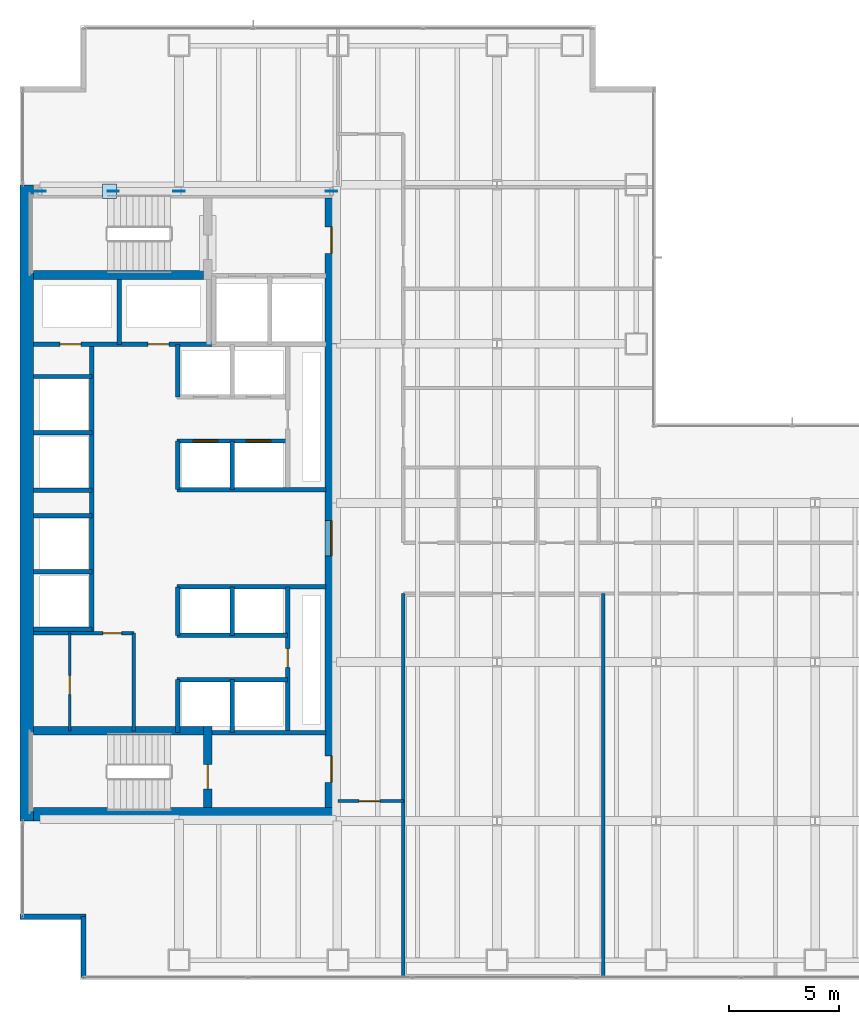
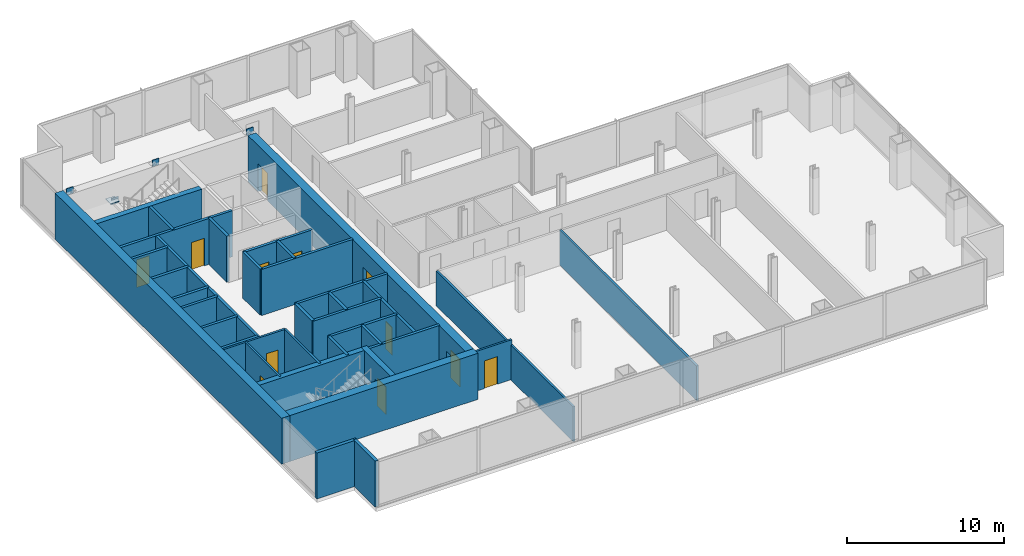
# One storey, part 20 of 24: 38 walls, 12 doors, 5 plates, 12 openings.
"""IFC4 building model written with IfcOpenShell, lengths in metres."""

from ifc_helpers import new_model, si_unit, direction, frame, frame_2d, origin, origin_2d, place, context, subcontext, project, spatial, rectangle, extrude, material, layer, layer_set, type_object, element, fill, save


model = new_model("IFC4")

# Units and contexts
model_context = context("Model", 3, precision=1e-05, world=origin(), true_north=direction((0.0, 1.0)))
body_context = subcontext(model_context, "Body", "Model", "MODEL_VIEW")
ifc_project = project(units=[si_unit("LENGTHUNIT", "METRE"), si_unit("AREAUNIT", "SQUARE_METRE"), si_unit("VOLUMEUNIT", "CUBIC_METRE"), si_unit("PLANEANGLEUNIT", "RADIAN"), si_unit("MASSUNIT", "GRAM", prefix="KILO")], contexts=[model_context])

# Site, building, storey
site_placement = place(None, origin())
site = spatial("IfcSite", under=ifc_project, at=site_placement, CompositionType="ELEMENT")
building_placement = place(site_placement, origin())
building = spatial("IfcBuilding", under=site, at=building_placement, Name="Cobrela Telecom Tower", CompositionType="ELEMENT")
storey_placement = place(building_placement, frame((0.0, 0.0, 69.64990234375)))
storey = spatial("IfcBuildingStorey", under=building, at=storey_placement, Name="L17", CompositionType="ELEMENT", Elevation=69.64990234375)

# Plates
ifc_material_1 = material(Name="Steel ASTM A572 Grade 50", Category="steel")
ifc_layer_1 = layer(ifc_material_1, 0.0419921875)
ifc_layer_set_1 = layer_set([ifc_layer_1], Name="Steel ASTM A572 Grade 50")
plate_type = type_object("IfcPlateType", Name="PLT-NODE-ND1", PredefinedType="USERDEFINED", material=ifc_layer_set_1)
for number, where, z_axis, x_axis, name in (
    (1, (7.199951171875, 35.699951171875, 3.35498046875), (0.0, 0.0, 1.0), (1.0, 0.0, 0.0), "Steel node plate PLT-MBR-EXO-L17-N1-A-1"),
    (2, (4.219482421875, 35.699951171875, 1.431640625), (0.0, 0.0, 1.0), (-1.0, 0.0, 0.0), "Steel node plate PLT-MBR-EXO-L17-N1-B1-1"),
    (3, (0.89990234375, 35.699951171875, 3.35498046875), (0.0, 0.0, 1.0), (-1.0, 0.0, 0.0), "Steel node plate PLT-MBR-EXO-L17-N1-B2-1"),
):
    element("IfcPlate", number, at=place(storey_placement, frame(where, z_axis=z_axis, x_axis=x_axis)), inside=storey, type_object=plate_type, Name=name, ObjectType="GUSSET PLATE", PredefinedType="USERDEFINED", context=body_context, shape_type="SweptSolid", body=[
        extrude(rectangle(XDim=0.510009765625, YDim=0.044921875, at=origin_2d()), origin(), (0.0, 0.0, 1.0), 0.510009765625),
    ])
plate_1_placement = place(storey_placement, frame((4.050048828125, 35.699951171875, 1.7626953125), z_axis=(0.0, 0.0, 1.0), x_axis=(1.0, 0.0, 0.0)))
element("IfcPlate", 4, at=plate_1_placement, inside=storey, type_object=plate_type, Name="L17 Core Flange Steel X-Brace Central X-Crossing Gusset Plate", ObjectType="GUSSET PLATE", PredefinedType="USERDEFINED", context=body_context, shape_type="SweptSolid", body=[
    extrude(rectangle(XDim=0.64990234375, YDim=0.64990234375, at=origin_2d()), origin(), (0.0, 0.0, 1.0), 0.044921875),
])
plate_2_placement = place(storey_placement, frame((14.10009765625, 35.699951171875, 3.35498046875), z_axis=(0.0, 0.0, 1.0), x_axis=(1.0, 0.0, 0.0)))
element("IfcPlate", 5, at=plate_2_placement, inside=storey, type_object=plate_type, Name="Steel node plate PLT-MBR-EXO-L17-N2-1", ObjectType="GUSSET PLATE", PredefinedType="USERDEFINED", context=body_context, shape_type="SweptSolid", body=[
    extrude(rectangle(XDim=0.510009765625, YDim=0.044921875, at=origin_2d()), origin(), (0.0, 0.0, 1.0), 0.510009765625),
])

# Walls
ifc_material_2 = material(Name="Concrete C50/60", Category="concrete")
ifc_layer_2 = layer(ifc_material_2, 0.60009765625)
ifc_layer_set_2 = layer_set([ifc_layer_2], Name="Concrete C50/60")
wall_type_1 = type_object("IfcWallType", Name="WALL-CORE-C50-600", PredefinedType="SHEAR", material=ifc_layer_set_2)
wall_1_placement = place(storey_placement, frame((0.300048828125, 7.199951171875, 0.0), z_axis=(0.0, 0.0, 1.0), x_axis=(0.0, 1.0, 0.0)))
element("IfcWall", 6, at=wall_1_placement, inside=storey, type_object=wall_type_1, Name="L17 West Core Shear Wall", PredefinedType="SHEAR", context=body_context, shape_type="SweptSolid", body=[
    extrude(rectangle(XDim=28.800048828125, YDim=0.60009765625, at=frame_2d((14.39990234375, 0.0))), origin(), (0.0, 0.0, 1.0), 3.570068359375),
])
wall_2_placement = place(storey_placement, frame((0.60009765625, 7.5, 0.0), z_axis=(0.0, 0.0, 1.0), x_axis=(1.0, 0.0, 0.0)))
element("IfcWall", 7, at=wall_2_placement, inside=storey, type_object=wall_type_1, Name="L17 South Core Shear Wall", PredefinedType="SHEAR", context=body_context, shape_type="SweptSolid", body=[
    extrude(rectangle(XDim=13.7998046875, YDim=0.60009765625, at=frame_2d((6.89990234375, 0.0))), origin(), (0.0, 0.0, 1.0), 3.570068359375),
])

# Wall, openings, doors
wall_3_placement = place(storey_placement, frame((14.10009765625, 35.39990234375, 0.0), z_axis=(0.0, 0.0, 1.0), x_axis=(0.0, -1.0, 0.0)))
wall_3 = element("IfcWall", 8, at=wall_3_placement, inside=storey, type_object=wall_type_1, Name="L17 East Core Shear Wall", PredefinedType="SHEAR", context=body_context, shape_type="SweptSolid", body=[
    extrude(rectangle(XDim=27.599853515625, YDim=0.60009765625, at=frame_2d((13.7998046875, 0.0))), origin(), (0.0, 0.0, 1.0), 3.570068359375),
])
opening_1_placement = place(wall_3_placement, frame((1.300048828125, 0.0, 0.0)))
opening_1 = element("IfcOpeningElement", 9, at=opening_1_placement, cuts=wall_3, Name="Opening DR-19", PredefinedType="OPENING", context=body_context, shape_type="SweptSolid", body=[
    extrude(rectangle(XDim=1.199951171875, YDim=2.14990234375, at=frame_2d((0.60009765625, 1.074951171875))), frame((0.0, 0.31201171875, 0.0), z_axis=(0.0, -1.0, 0.0), x_axis=(1.0, 0.0, 0.0)), (0.0, 0.0, 1.0), 0.6240234375),
])
opening_2_placement = place(wall_3_placement, frame((25.25, 0.0, 0.0)))
opening_2 = element("IfcOpeningElement", 10, at=opening_2_placement, cuts=wall_3, Name="Opening DR-19", PredefinedType="OPENING", context=body_context, shape_type="SweptSolid", body=[
    extrude(rectangle(XDim=1.199951171875, YDim=2.14990234375, at=frame_2d((0.60009765625, 1.074951171875))), frame((0.0, 0.31201171875, 0.0), z_axis=(0.0, -1.0, 0.0), x_axis=(1.0, 0.0, 0.0)), (0.0, 0.0, 1.0), 0.6240234375),
])
opening_3_placement = place(wall_3_placement, frame((14.60009765625, 0.0, 0.0)))
opening_3 = element("IfcOpeningElement", 11, at=opening_3_placement, cuts=wall_3, Name="Opening DR-51", PredefinedType="OPENING", context=body_context, shape_type="SweptSolid", body=[
    extrude(rectangle(XDim=1.60009765625, YDim=2.199951171875, at=frame_2d((0.800048828125, 1.10009765625))), frame((0.0, 0.31201171875, 0.0), z_axis=(0.0, -1.0, 0.0), x_axis=(1.0, 0.0, 0.0)), (0.0, 0.0, 1.0), 0.6240234375),
])
ifc_material_3 = material(Name="Steel ASTM A36", Category="steel")
door_type_1 = type_object("IfcDoorType", Name="DOOR-FD60-1200", OperationType="SINGLE_SWING_LEFT", PredefinedType="DOOR", material=ifc_material_3)
door_1_placement = place(opening_1_placement, origin())
door_1 = element("IfcDoor", 12, at=door_1_placement, inside=storey, type_object=door_type_1, Name="L17 Door DR-19", OperationType="SINGLE_SWING_LEFT", OverallHeight=2.14990234375, OverallWidth=1.199951171875, PredefinedType="DOOR", context=body_context, shape_type="SweptSolid", body=[
    extrude(rectangle(XDim=1.199951171875, YDim=2.14990234375, at=frame_2d((0.60009765625, 1.074951171875))), frame((0.0, 0.02490234375, 0.0), z_axis=(0.0, -1.0, 0.0), x_axis=(1.0, 0.0, 0.0)), (0.0, 0.0, 1.0), 0.050048828125),
])
fill(opening_1, door_1)
door_2_placement = place(opening_2_placement, origin())
door_2 = element("IfcDoor", 13, at=door_2_placement, inside=storey, type_object=door_type_1, Name="L17 Door DR-19", OperationType="SINGLE_SWING_RIGHT", OverallHeight=2.14990234375, OverallWidth=1.199951171875, PredefinedType="DOOR", context=body_context, shape_type="SweptSolid", body=[
    extrude(rectangle(XDim=1.199951171875, YDim=2.14990234375, at=frame_2d((0.60009765625, 1.074951171875))), frame((0.0, 0.02490234375, 0.0), z_axis=(0.0, -1.0, 0.0), x_axis=(1.0, 0.0, 0.0)), (0.0, 0.0, 1.0), 0.050048828125),
])
fill(opening_2, door_2)
door_type_2 = type_object("IfcDoorType", Name="DOOR-FD60-1600", OperationType="SINGLE_SWING_LEFT", PredefinedType="DOOR", material=ifc_material_3)
door_3_placement = place(opening_3_placement, origin())
door_3 = element("IfcDoor", 14, at=door_3_placement, inside=storey, type_object=door_type_2, Name="L17 Door DR-51", OperationType="DOUBLE_DOOR_SINGLE_SWING", OverallHeight=2.199951171875, OverallWidth=1.60009765625, PredefinedType="DOOR", context=body_context, shape_type="SweptSolid", body=[
    extrude(rectangle(XDim=1.60009765625, YDim=2.199951171875, at=frame_2d((0.800048828125, 1.10009765625))), frame((0.0, 0.02490234375, 0.0), z_axis=(0.0, -1.0, 0.0), x_axis=(1.0, 0.0, 0.0)), (0.0, 0.0, 1.0), 0.050048828125),
])
fill(opening_3, door_3)

# Walls
ifc_material_4 = material(Name="Concrete C40/50", Category="concrete")
ifc_layer_3 = layer(ifc_material_4, 0.239990234375)
ifc_layer_set_3 = layer_set([ifc_layer_3], Name="Concrete C40/50")
wall_type_2 = type_object("IfcWallType", Name="WALL-EXT-300", PredefinedType="STANDARD", material=ifc_layer_set_3)
wall_4_placement = place(storey_placement, frame((2.8701171875, 0.1201171875, 0.0), z_axis=(0.0, 0.0, 1.0), x_axis=(0.0, 1.0, 0.0)))
element("IfcWall", 15, at=wall_4_placement, inside=storey, type_object=wall_type_2, Name="L17 Insulated Facade Wall 01", PredefinedType="STANDARD", context=body_context, shape_type="SweptSolid", body=[
    extrude(rectangle(XDim=2.75, YDim=0.239990234375, at=frame_2d((1.375, 0.0))), origin(), (0.0, 0.0, 1.0), 3.570068359375),
])
wall_5_placement = place(storey_placement, frame((2.989990234375, 2.8701171875, 0.0), z_axis=(0.0, 0.0, 1.0), x_axis=(-1.0, 0.0, 0.0)))
element("IfcWall", 16, at=wall_5_placement, inside=storey, type_object=wall_type_2, Name="L17 Insulated Facade Wall 02", PredefinedType="STANDARD", context=body_context, shape_type="SweptSolid", body=[
    extrude(rectangle(XDim=2.989990234375, YDim=0.239990234375, at=frame_2d((1.4951171875, 0.0))), origin(), (0.0, 0.0, 1.0), 3.570068359375),
])

# Wall, opening, door
ifc_material_5 = material(Name="Fire-Rated Gypsum Plasterboard")
ifc_layer_4 = layer(ifc_material_5, 0.125)
ifc_layer_set_4 = layer_set([ifc_layer_4], Name="Fire-Rated Gypsum Plasterboard")
wall_type_3 = type_object("IfcWallType", Name="WALL-PART-125", PredefinedType="PARTITIONING", material=ifc_layer_set_4)
wall_6_placement = place(storey_placement, frame((2.25, 11.280029296875, 0.0), z_axis=(0.0, 0.0, 1.0), x_axis=(0.0, 1.0, 0.0)))
wall_6 = element("IfcWall", 17, at=wall_6_placement, inside=storey, type_object=wall_type_3, Name="L17 Interior Partition CW-FK0-V", PredefinedType="PARTITIONING", context=body_context, shape_type="SweptSolid", body=[
    extrude(rectangle(XDim=4.419921875, YDim=0.125, at=frame_2d((2.2099609375, 0.0))), origin(), (0.0, 0.0, 1.0), 3.570068359375),
])
opening_4_placement = place(wall_6_placement, frame((1.64990234375, 0.0, 0.0)))
opening_4 = element("IfcOpeningElement", 18, at=opening_4_placement, cuts=wall_6, Name="Opening DR-11", PredefinedType="OPENING", context=body_context, shape_type="SweptSolid", body=[
    extrude(rectangle(XDim=0.85009765625, YDim=2.14990234375, at=frame_2d((0.425048828125, 1.074951171875))), frame((0.0, 0.074462890625, 0.0), z_axis=(0.0, -1.0, 0.0), x_axis=(1.0, 0.0, 0.0)), (0.0, 0.0, 1.0), 0.14892578125),
])
ifc_material_6 = material(Name="Solid Engineered Oak Timber", Category="wood")
door_type_3 = type_object("IfcDoorType", Name="DOOR-INT-850", OperationType="SINGLE_SWING_LEFT", PredefinedType="DOOR", material=ifc_material_6)
door_4_placement = place(opening_4_placement, origin())
door_4 = element("IfcDoor", 19, at=door_4_placement, inside=storey, type_object=door_type_3, Name="L17 Door DR-11", OperationType="SINGLE_SWING_LEFT", OverallHeight=2.14990234375, OverallWidth=0.85009765625, PredefinedType="DOOR", context=body_context, shape_type="SweptSolid", body=[
    extrude(rectangle(XDim=0.85009765625, YDim=2.14990234375, at=frame_2d((0.425048828125, 1.074951171875))), frame((0.0, 0.02490234375, 0.0), z_axis=(0.0, -1.0, 0.0), x_axis=(1.0, 0.0, 0.0)), (0.0, 0.0, 1.0), 0.050048828125),
])
fill(opening_4, door_4)

ifc_layer_5 = layer(ifc_material_5, 0.14990234375)
ifc_layer_set_5 = layer_set([ifc_layer_5], Name="Fire-Rated Gypsum Plasterboard")
wall_type_4 = type_object("IfcWallType", Name="WALL-PART-150", PredefinedType="PARTITIONING", material=ifc_layer_set_5)
wall_7_placement = place(storey_placement, frame((0.60009765625, 15.699951171875, 0.0), z_axis=(0.0, 0.0, 1.0), x_axis=(1.0, 0.0, 0.0)))
wall_7 = element("IfcWall", 20, at=wall_7_placement, inside=storey, type_object=wall_type_4, Name="L17 Interior Partition CW-FLEX-N", PredefinedType="PARTITIONING", context=body_context, shape_type="SweptSolid", body=[
    extrude(rectangle(XDim=4.5498046875, YDim=0.14990234375, at=frame_2d((2.27490234375, 0.0))), origin(), (0.0, 0.0, 1.0), 3.570068359375),
])
opening_5_placement = place(wall_7_placement, frame((3.14990234375, 0.0, 0.0)))
opening_5 = element("IfcOpeningElement", 21, at=opening_5_placement, cuts=wall_7, Name="Opening DR-11", PredefinedType="OPENING", context=body_context, shape_type="SweptSolid", body=[
    extrude(rectangle(XDim=0.85009765625, YDim=2.14990234375, at=frame_2d((0.425048828125, 1.074951171875))), frame((0.0, 0.0869140625, 0.0), z_axis=(0.0, -1.0, 0.0), x_axis=(1.0, 0.0, 0.0)), (0.0, 0.0, 1.0), 0.173828125),
])
door_5_placement = place(opening_5_placement, origin())
door_5 = element("IfcDoor", 22, at=door_5_placement, inside=storey, type_object=door_type_3, Name="L17 Door DR-11", OperationType="SINGLE_SWING_RIGHT", OverallHeight=2.14990234375, OverallWidth=0.85009765625, PredefinedType="DOOR", context=body_context, shape_type="SweptSolid", body=[
    extrude(rectangle(XDim=0.85009765625, YDim=2.14990234375, at=frame_2d((0.425048828125, 1.074951171875))), frame((0.0, 0.02490234375, 0.0), z_axis=(0.0, -1.0, 0.0), x_axis=(1.0, 0.0, 0.0)), (0.0, 0.0, 1.0), 0.050048828125),
])
fill(opening_5, door_5)

# Wall
wall_8_placement = place(storey_placement, frame((5.14990234375, 11.280029296875, 0.0), z_axis=(0.0, 0.0, 1.0), x_axis=(0.0, 1.0, 0.0)))
element("IfcWall", 23, at=wall_8_placement, inside=storey, type_object=wall_type_4, Name="L17 Interior Partition CW-FLEX-E", PredefinedType="PARTITIONING", context=body_context, shape_type="SweptSolid", body=[
    extrude(rectangle(XDim=4.419921875, YDim=0.14990234375, at=frame_2d((2.2099609375, 0.0))), origin(), (0.0, 0.0, 1.0), 3.570068359375),
])

# Wall, opening, door
wall_9_placement = place(storey_placement, frame((14.39990234375, 8.10009765625, 0.0), z_axis=(0.0, 0.0, 1.0), x_axis=(1.0, 0.0, 0.0)))
wall_9 = element("IfcWall", 24, at=wall_9_placement, inside=storey, type_object=wall_type_4, Name="L17 Interior Partition W-C-S0", PredefinedType="PARTITIONING", context=body_context, shape_type="SweptSolid", body=[
    extrude(rectangle(XDim=2.9501953125, YDim=0.14990234375, at=frame_2d((1.47509765625, 0.0))), origin(), (0.0, 0.0, 1.0), 3.088134765625),
])
opening_6_placement = place(wall_9_placement, frame((0.949951171875, 0.0, 0.0)))
opening_6 = element("IfcOpeningElement", 25, at=opening_6_placement, cuts=wall_9, Name="Opening DR-67", PredefinedType="OPENING", context=body_context, shape_type="SweptSolid", body=[
    extrude(rectangle(XDim=0.949951171875, YDim=2.14990234375, at=frame_2d((0.47509765625, 1.074951171875))), frame((0.0, 0.0869140625, 0.0), z_axis=(0.0, -1.0, 0.0), x_axis=(1.0, 0.0, 0.0)), (0.0, 0.0, 1.0), 0.173828125),
])
door_type_4 = type_object("IfcDoorType", Name="DOOR-INT-950", OperationType="SINGLE_SWING_LEFT", PredefinedType="DOOR", material=ifc_material_6)
door_6_placement = place(opening_6_placement, origin())
door_6 = element("IfcDoor", 26, at=door_6_placement, inside=storey, type_object=door_type_4, Name="L17 Door DR-67", OperationType="SINGLE_SWING_RIGHT", OverallHeight=2.14990234375, OverallWidth=0.949951171875, PredefinedType="DOOR", context=body_context, shape_type="SweptSolid", body=[
    extrude(rectangle(XDim=0.949951171875, YDim=2.14990234375, at=frame_2d((0.47509765625, 1.074951171875))), frame((0.0, 0.02490234375, 0.0), z_axis=(0.0, -1.0, 0.0), x_axis=(1.0, 0.0, 0.0)), (0.0, 0.0, 1.0), 0.050048828125),
])
fill(opening_6, door_6)

# Walls
wall_10_placement = place(storey_placement, frame((17.35009765625, 8.10009765625, 0.0), z_axis=(0.0, 0.0, 1.0), x_axis=(0.0, 1.0, 0.0)))
element("IfcWall", 27, at=wall_10_placement, inside=storey, type_object=wall_type_4, Name="L17 Interior Partition W-C-E1", PredefinedType="PARTITIONING", context=body_context, shape_type="SweptSolid", body=[
    extrude(rectangle(XDim=9.39990234375, YDim=0.14990234375, at=frame_2d((4.699951171875, 0.0))), origin(), (0.0, 0.0, 1.0), 2.69921875),
])
wall_11_placement = place(storey_placement, frame((17.35009765625, 0.1201171875, 0.0), z_axis=(0.0, 0.0, 1.0), x_axis=(0.0, 1.0, 0.0)))
element("IfcWall", 28, at=wall_11_placement, inside=storey, type_object=wall_type_4, Name="L17 Interior Partition W-SW-E", PredefinedType="PARTITIONING", context=body_context, shape_type="SweptSolid", body=[
    extrude(rectangle(XDim=7.97998046875, YDim=0.14990234375, at=frame_2d((3.989990234375, 0.0))), origin(), (0.0, 0.0, 1.0), 2.69921875),
])
wall_12_placement = place(storey_placement, frame((26.39990234375, 0.1201171875, 0.0), z_axis=(0.0, 0.0, 1.0), x_axis=(0.0, 1.0, 0.0)))
element("IfcWall", 29, at=wall_12_placement, inside=storey, type_object=wall_type_4, Name="L17 Interior Partition W-SV-1", PredefinedType="PARTITIONING", context=body_context, shape_type="SweptSolid", body=[
    extrude(rectangle(XDim=17.3798828125, YDim=0.14990234375, at=frame_2d((8.68994140625, 0.0))), origin(), (0.0, 0.0, 1.0), 2.69921875),
])
ifc_layer_6 = layer(ifc_material_5, 0.199951171875)
ifc_layer_set_6 = layer_set([ifc_layer_6], Name="Fire-Rated Gypsum Plasterboard")
wall_type_5 = type_object("IfcWallType", Name="WALL-SHAFT-200", PredefinedType="PARTITIONING", material=ifc_layer_set_6)
wall_13_placement = place(storey_placement, frame((8.699951171875, 11.199951171875, 0.0), z_axis=(0.0, 0.0, 1.0), x_axis=(1.0, 0.0, 0.0)))
element("IfcWall", 30, at=wall_13_placement, inside=storey, type_object=wall_type_5, Name="L17 Shaft Enclosure CW-ST2L-N", PredefinedType="PARTITIONING", context=body_context, shape_type="SweptSolid", body=[
    extrude(rectangle(XDim=5.150146484375, YDim=0.199951171875, at=frame_2d((2.5751953125, 0.0))), origin(), (0.0, 0.0, 1.0), 3.570068359375),
])

# Wall, openings, doors
wall_14_placement = place(storey_placement, frame((0.60009765625, 28.780029296875, 0.0), z_axis=(0.0, 0.0, 1.0), x_axis=(1.0, 0.0, 0.0)))
wall_14 = element("IfcWall", 31, at=wall_14_placement, inside=storey, type_object=wall_type_5, Name="L17 Shaft Enclosure CW-RIS-S", PredefinedType="PARTITIONING", context=body_context, shape_type="SweptSolid", body=[
    extrude(rectangle(XDim=8.179931640625, YDim=0.199951171875, at=frame_2d((4.08984375, 0.0))), origin(), (0.0, 0.0, 1.0), 3.570068359375),
])
opening_7_placement = place(wall_14_placement, frame((1.2099609375, 0.0, 0.0)))
opening_7 = element("IfcOpeningElement", 32, at=opening_7_placement, cuts=wall_14, Name="Opening DR-65", PredefinedType="OPENING", context=body_context, shape_type="SweptSolid", body=[
    extrude(rectangle(XDim=0.949951171875, YDim=2.14990234375, at=frame_2d((0.47509765625, 1.074951171875))), frame((0.0, 0.11181640625, 0.0), z_axis=(0.0, -1.0, 0.0), x_axis=(1.0, 0.0, 0.0)), (0.0, 0.0, 1.0), 0.223876953125),
])
opening_8_placement = place(wall_14_placement, frame((5.18994140625, 0.0, 0.0)))
opening_8 = element("IfcOpeningElement", 33, at=opening_8_placement, cuts=wall_14, Name="Opening DR-65", PredefinedType="OPENING", context=body_context, shape_type="SweptSolid", body=[
    extrude(rectangle(XDim=0.949951171875, YDim=2.14990234375, at=frame_2d((0.47509765625, 1.074951171875))), frame((0.0, 0.11181640625, 0.0), z_axis=(0.0, -1.0, 0.0), x_axis=(1.0, 0.0, 0.0)), (0.0, 0.0, 1.0), 0.223876953125),
])
door_type_5 = type_object("IfcDoorType", Name="DOOR-FD60-950", OperationType="SINGLE_SWING_LEFT", PredefinedType="DOOR", material=ifc_material_3)
door_7_placement = place(opening_7_placement, origin())
door_7 = element("IfcDoor", 34, at=door_7_placement, inside=storey, type_object=door_type_5, Name="L17 Door DR-65", OperationType="SINGLE_SWING_LEFT", OverallHeight=2.14990234375, OverallWidth=0.949951171875, PredefinedType="DOOR", context=body_context, shape_type="SweptSolid", body=[
    extrude(rectangle(XDim=0.949951171875, YDim=2.14990234375, at=frame_2d((0.47509765625, 1.074951171875))), frame((0.0, 0.02490234375, 0.0), z_axis=(0.0, -1.0, 0.0), x_axis=(1.0, 0.0, 0.0)), (0.0, 0.0, 1.0), 0.050048828125),
])
fill(opening_7, door_7)
door_8_placement = place(opening_8_placement, origin())
door_8 = element("IfcDoor", 35, at=door_8_placement, inside=storey, type_object=door_type_5, Name="L17 Door DR-65", OperationType="SINGLE_SWING_RIGHT", OverallHeight=2.14990234375, OverallWidth=0.949951171875, PredefinedType="DOOR", context=body_context, shape_type="SweptSolid", body=[
    extrude(rectangle(XDim=0.949951171875, YDim=2.14990234375, at=frame_2d((0.47509765625, 1.074951171875))), frame((0.0, 0.02490234375, 0.0), z_axis=(0.0, -1.0, 0.0), x_axis=(1.0, 0.0, 0.0)), (0.0, 0.0, 1.0), 0.050048828125),
])
fill(opening_8, door_8)

# Walls
wall_15_placement = place(storey_placement, frame((4.5, 28.780029296875, 0.0), z_axis=(0.0, 0.0, 1.0), x_axis=(0.0, 1.0, 0.0)))
element("IfcWall", 36, at=wall_15_placement, inside=storey, type_object=wall_type_5, Name="L17 Shaft Enclosure CW-RIS-M", PredefinedType="PARTITIONING", context=body_context, shape_type="SweptSolid", body=[
    extrude(rectangle(XDim=2.93994140625, YDim=0.199951171875, at=frame_2d((1.469970703125, 0.0))), origin(), (0.0, 0.0, 1.0), 3.570068359375),
])
wall_16_placement = place(storey_placement, frame((3.25, 15.699951171875, 0.0), z_axis=(0.0, 0.0, 1.0), x_axis=(0.0, 1.0, 0.0)))
element("IfcWall", 37, at=wall_16_placement, inside=storey, type_object=wall_type_5, Name="L17 Shaft Enclosure CW-PLH-E", PredefinedType="PARTITIONING", context=body_context, shape_type="SweptSolid", body=[
    extrude(rectangle(XDim=13.080078125, YDim=0.199951171875, at=frame_2d((6.5400390625, 0.0))), origin(), (0.0, 0.0, 1.0), 3.570068359375),
])
for number, where, z_axis, x_axis, name in (
    (38, (0.60009765625, 15.8798828125, 0.0), (0.0, 0.0, 1.0), (1.0, 0.0, 0.0), "L17 Shaft Enclosure CW-PLH-D9"),
    (39, (0.60009765625, 18.47998046875, 0.0), (0.0, 0.0, 1.0), (1.0, 0.0, 0.0), "L17 Shaft Enclosure CW-PLH-D10"),
    (40, (0.60009765625, 22.179931640625, 0.0), (0.0, 0.0, 1.0), (1.0, 0.0, 0.0), "L17 Shaft Enclosure CW-PLH-D11"),
    (41, (0.60009765625, 24.780029296875, 0.0), (0.0, 0.0, 1.0), (1.0, 0.0, 0.0), "L17 Shaft Enclosure CW-PLH-D12"),
    (42, (0.60009765625, 21.02001953125, 0.0), (0.0, 0.0, 1.0), (1.0, 0.0, 0.0), "L17 Shaft Enclosure CW-PLH-MID"),
    (43, (0.60009765625, 27.320068359375, 0.0), (0.0, 0.0, 1.0), (1.0, 0.0, 0.0), "L17 Shaft Enclosure CW-PLH-TOP"),
):
    element("IfcWall", number, at=place(storey_placement, frame(where, z_axis=z_axis, x_axis=x_axis)), inside=storey, type_object=wall_type_5, Name=name, PredefinedType="PARTITIONING", context=body_context, shape_type="SweptSolid", body=[
        extrude(rectangle(XDim=2.64990234375, YDim=0.199951171875, at=frame_2d((1.324951171875, 0.0))), origin(), (0.0, 0.0, 1.0), 3.570068359375),
    ])
wall_17_placement = place(storey_placement, frame((7.10009765625, 22.199951171875, 0.0), z_axis=(0.0, 0.0, 1.0), x_axis=(1.0, 0.0, 0.0)))
element("IfcWall", 44, at=wall_17_placement, inside=storey, type_object=wall_type_5, Name="L17 Shaft Enclosure CW-PLL-B0", PredefinedType="PARTITIONING", context=body_context, shape_type="SweptSolid", body=[
    extrude(rectangle(XDim=6.75, YDim=0.199951171875, at=frame_2d((3.375, 0.0))), origin(), (0.0, 0.0, 1.0), 3.570068359375),
])

# Wall, openings, doors
wall_18_placement = place(storey_placement, frame((7.10009765625, 24.39990234375, 0.0), z_axis=(0.0, 0.0, 1.0), x_axis=(1.0, 0.0, 0.0)))
wall_18 = element("IfcWall", 45, at=wall_18_placement, inside=storey, type_object=wall_type_5, Name="L17 Shaft Enclosure CW-PLL-S", PredefinedType="PARTITIONING", context=body_context, shape_type="SweptSolid", body=[
    extrude(rectangle(XDim=5.02001953125, YDim=0.199951171875, at=frame_2d((2.510009765625, 0.0))), origin(), (0.0, 0.0, 1.0), 3.570068359375),
])
opening_9_placement = place(wall_18_placement, frame((0.75, 0.0, 0.0)))
opening_9 = element("IfcOpeningElement", 46, at=opening_9_placement, cuts=wall_18, Name="Opening LD-1", PredefinedType="OPENING", context=body_context, shape_type="SweptSolid", body=[
    extrude(rectangle(XDim=1.10009765625, YDim=2.199951171875, at=frame_2d((0.550048828125, 1.10009765625))), frame((0.0, 0.11181640625, 0.0), z_axis=(0.0, -1.0, 0.0), x_axis=(1.0, 0.0, 0.0)), (0.0, 0.0, 1.0), 0.223876953125),
])
opening_10_placement = place(wall_18_placement, frame((3.14990234375, 0.0, 0.0)))
opening_10 = element("IfcOpeningElement", 47, at=opening_10_placement, cuts=wall_18, Name="Opening LD-1", PredefinedType="OPENING", context=body_context, shape_type="SweptSolid", body=[
    extrude(rectangle(XDim=1.10009765625, YDim=2.199951171875, at=frame_2d((0.550048828125, 1.10009765625))), frame((0.0, 0.11181640625, 0.0), z_axis=(0.0, -1.0, 0.0), x_axis=(1.0, 0.0, 0.0)), (0.0, 0.0, 1.0), 0.223876953125),
])
door_type_6 = type_object("IfcDoorType", Name="DOOR-LD-PL", OperationType="SINGLE_SWING_LEFT", PredefinedType="DOOR", material=ifc_material_3)
door_9_placement = place(opening_9_placement, origin())
door_9 = element("IfcDoor", 48, at=door_9_placement, inside=storey, type_object=door_type_6, Name="L17 Lift Landing Door LD-1", OperationType="DOUBLE_DOOR_SLIDING", OverallHeight=2.199951171875, OverallWidth=1.10009765625, PredefinedType="DOOR", context=body_context, shape_type="SweptSolid", body=[
    extrude(rectangle(XDim=1.10009765625, YDim=2.199951171875, at=frame_2d((0.550048828125, 1.10009765625))), frame((0.0, 0.02490234375, 0.0), z_axis=(0.0, -1.0, 0.0), x_axis=(1.0, 0.0, 0.0)), (0.0, 0.0, 1.0), 0.050048828125),
])
fill(opening_9, door_9)
door_10_placement = place(opening_10_placement, origin())
door_10 = element("IfcDoor", 49, at=door_10_placement, inside=storey, type_object=door_type_6, Name="L17 Lift Landing Door LD-1", OperationType="DOUBLE_DOOR_SLIDING", OverallHeight=2.199951171875, OverallWidth=1.10009765625, PredefinedType="DOOR", context=body_context, shape_type="SweptSolid", body=[
    extrude(rectangle(XDim=1.10009765625, YDim=2.199951171875, at=frame_2d((0.550048828125, 1.10009765625))), frame((0.0, 0.02490234375, 0.0), z_axis=(0.0, -1.0, 0.0), x_axis=(1.0, 0.0, 0.0)), (0.0, 0.0, 1.0), 0.050048828125),
])
fill(opening_10, door_10)

# Walls
wall_19_placement = place(storey_placement, frame((7.14990234375, 22.199951171875, 0.0), z_axis=(0.0, 0.0, 1.0), x_axis=(0.0, 1.0, 0.0)))
element("IfcWall", 50, at=wall_19_placement, inside=storey, type_object=wall_type_5, Name="L17 Shaft Enclosure CW-PLL-V1", PredefinedType="PARTITIONING", context=body_context, shape_type="SweptSolid", body=[
    extrude(rectangle(XDim=2.199951171875, YDim=0.199951171875, at=frame_2d((1.10009765625, 0.0))), origin(), (0.0, 0.0, 1.0), 3.570068359375),
])
wall_20_placement = place(storey_placement, frame((7.14990234375, 26.39990234375, 0.0), z_axis=(0.0, 0.0, 1.0), x_axis=(0.0, 1.0, 0.0)))
element("IfcWall", 51, at=wall_20_placement, inside=storey, type_object=wall_type_5, Name="L17 Shaft Enclosure CW-PLL-V1B", PredefinedType="PARTITIONING", context=body_context, shape_type="SweptSolid", body=[
    extrude(rectangle(XDim=2.380126953125, YDim=0.199951171875, at=frame_2d((1.18994140625, 0.0))), origin(), (0.0, 0.0, 1.0), 3.570068359375),
])
wall_21_placement = place(storey_placement, frame((9.60009765625, 22.199951171875, 0.0), z_axis=(0.0, 0.0, 1.0), x_axis=(0.0, 1.0, 0.0)))
element("IfcWall", 52, at=wall_21_placement, inside=storey, type_object=wall_type_5, Name="L17 Shaft Enclosure CW-PLL-V2", PredefinedType="PARTITIONING", context=body_context, shape_type="SweptSolid", body=[
    extrude(rectangle(XDim=2.199951171875, YDim=0.199951171875, at=frame_2d((1.10009765625, 0.0))), origin(), (0.0, 0.0, 1.0), 3.570068359375),
])
wall_22_placement = place(storey_placement, frame((7.10009765625, 17.800048828125, 0.0), z_axis=(0.0, 0.0, 1.0), x_axis=(1.0, 0.0, 0.0)))
element("IfcWall", 53, at=wall_22_placement, inside=storey, type_object=wall_type_5, Name="L17 Shaft Enclosure CW-PLM-T0", PredefinedType="PARTITIONING", context=body_context, shape_type="SweptSolid", body=[
    extrude(rectangle(XDim=6.75, YDim=0.199951171875, at=frame_2d((3.375, 0.0))), origin(), (0.0, 0.0, 1.0), 3.570068359375),
])
for number, where, z_axis, x_axis, name in (
    (54, (7.10009765625, 15.60009765625, 0.0), (0.0, 0.0, 1.0), (1.0, 0.0, 0.0), "L17 Shaft Enclosure CW-PLM-N"),
    (55, (7.10009765625, 13.60009765625, 0.0), (0.0, 0.0, 1.0), (1.0, 0.0, 0.0), "L17 Shaft Enclosure CW-PLM-S"),
):
    element("IfcWall", number, at=place(storey_placement, frame(where, z_axis=z_axis, x_axis=x_axis)), inside=storey, type_object=wall_type_5, Name=name, PredefinedType="PARTITIONING", context=body_context, shape_type="SweptSolid", body=[
        extrude(rectangle(XDim=5.02001953125, YDim=0.199951171875, at=frame_2d((2.510009765625, 0.0))), origin(), (0.0, 0.0, 1.0), 3.570068359375),
    ])
wall_23_placement = place(storey_placement, frame((7.14990234375, 15.60009765625, 0.0), z_axis=(0.0, 0.0, 1.0), x_axis=(0.0, 1.0, 0.0)))
element("IfcWall", 56, at=wall_23_placement, inside=storey, type_object=wall_type_5, Name="L17 Shaft Enclosure CW-PLM-V1", PredefinedType="PARTITIONING", context=body_context, shape_type="SweptSolid", body=[
    extrude(rectangle(XDim=2.199951171875, YDim=0.199951171875, at=frame_2d((1.10009765625, 0.0))), origin(), (0.0, 0.0, 1.0), 3.570068359375),
])
wall_24_placement = place(storey_placement, frame((7.14990234375, 11.199951171875, 0.0), z_axis=(0.0, 0.0, 1.0), x_axis=(0.0, 1.0, 0.0)))
element("IfcWall", 57, at=wall_24_placement, inside=storey, type_object=wall_type_5, Name="L17 Shaft Enclosure CW-PLM-V1B", PredefinedType="PARTITIONING", context=body_context, shape_type="SweptSolid", body=[
    extrude(rectangle(XDim=2.400146484375, YDim=0.199951171875, at=frame_2d((1.2001953125, 0.0))), origin(), (0.0, 0.0, 1.0), 3.570068359375),
])
wall_25_placement = place(storey_placement, frame((9.60009765625, 15.60009765625, 0.0), z_axis=(0.0, 0.0, 1.0), x_axis=(0.0, 1.0, 0.0)))
element("IfcWall", 58, at=wall_25_placement, inside=storey, type_object=wall_type_5, Name="L17 Shaft Enclosure CW-PLM-V2", PredefinedType="PARTITIONING", context=body_context, shape_type="SweptSolid", body=[
    extrude(rectangle(XDim=2.199951171875, YDim=0.199951171875, at=frame_2d((1.10009765625, 0.0))), origin(), (0.0, 0.0, 1.0), 3.570068359375),
])
wall_26_placement = place(storey_placement, frame((9.60009765625, 11.199951171875, 0.0), z_axis=(0.0, 0.0, 1.0), x_axis=(0.0, 1.0, 0.0)))
element("IfcWall", 59, at=wall_26_placement, inside=storey, type_object=wall_type_5, Name="L17 Shaft Enclosure CW-PLM-V2B", PredefinedType="PARTITIONING", context=body_context, shape_type="SweptSolid", body=[
    extrude(rectangle(XDim=2.400146484375, YDim=0.199951171875, at=frame_2d((1.2001953125, 0.0))), origin(), (0.0, 0.0, 1.0), 3.570068359375),
])

# Wall, opening, door
wall_27_placement = place(storey_placement, frame((12.1201171875, 11.199951171875, 0.0), z_axis=(0.0, 0.0, 1.0), x_axis=(0.0, 1.0, 0.0)))
wall_27 = element("IfcWall", 60, at=wall_27_placement, inside=storey, type_object=wall_type_5, Name="L17 Shaft Enclosure CW-PLM-V3", PredefinedType="PARTITIONING", context=body_context, shape_type="SweptSolid", body=[
    extrude(rectangle(XDim=6.60009765625, YDim=0.199951171875, at=frame_2d((3.300048828125, 0.0))), origin(), (0.0, 0.0, 1.0), 3.570068359375),
])
opening_11_placement = place(wall_27_placement, frame((2.949951171875, 0.0, 0.0)))
opening_11 = element("IfcOpeningElement", 61, at=opening_11_placement, cuts=wall_27, Name="Opening DR-11", PredefinedType="OPENING", context=body_context, shape_type="SweptSolid", body=[
    extrude(rectangle(XDim=0.85009765625, YDim=2.14990234375, at=frame_2d((0.425048828125, 1.074951171875))), frame((0.0, 0.11181640625, 0.0), z_axis=(0.0, -1.0, 0.0), x_axis=(1.0, 0.0, 0.0)), (0.0, 0.0, 1.0), 0.223876953125),
])
door_11_placement = place(opening_11_placement, origin())
door_11 = element("IfcDoor", 62, at=door_11_placement, inside=storey, type_object=door_type_3, Name="L17 Door DR-11", OperationType="SINGLE_SWING_RIGHT", OverallHeight=2.14990234375, OverallWidth=0.85009765625, PredefinedType="DOOR", context=body_context, shape_type="SweptSolid", body=[
    extrude(rectangle(XDim=0.85009765625, YDim=2.14990234375, at=frame_2d((0.425048828125, 1.074951171875))), frame((0.0, 0.02490234375, 0.0), z_axis=(0.0, -1.0, 0.0), x_axis=(1.0, 0.0, 0.0)), (0.0, 0.0, 1.0), 0.050048828125),
])
fill(opening_11, door_11)

# Walls
ifc_layer_7 = layer(ifc_material_4, 0.39990234375)
ifc_layer_set_7 = layer_set([ifc_layer_7], Name="Concrete C40/50")
wall_type_6 = type_object("IfcWallType", Name="WALL-SHAFT-C40-400", PredefinedType="SHEAR", material=ifc_layer_set_7)
for number, where, z_axis, x_axis, name in (
    (63, (0.60009765625, 31.919921875, 0.0), (0.0, 0.0, 1.0), (1.0, 0.0, 0.0), "L17 North Stair Shear Wall"),
    (64, (0.60009765625, 11.280029296875, 0.0), (0.0, 0.0, 1.0), (1.0, 0.0, 0.0), "L17 South Stair Shear Wall"),
):
    element("IfcWall", number, at=place(storey_placement, frame(where, z_axis=z_axis, x_axis=x_axis)), inside=storey, type_object=wall_type_6, Name=name, PredefinedType="SHEAR", context=body_context, shape_type="SweptSolid", body=[
        extrude(rectangle(XDim=7.699951171875, YDim=0.39990234375, at=frame_2d((3.85009765625, 0.0))), origin(), (0.0, 0.0, 1.0), 3.570068359375),
    ])

# Wall, opening, door
wall_28_placement = place(storey_placement, frame((8.5, 7.800048828125, 0.0), z_axis=(0.0, 0.0, 1.0), x_axis=(0.0, 1.0, 0.0)))
wall_28 = element("IfcWall", 65, at=wall_28_placement, inside=storey, type_object=wall_type_6, Name="L17 South Stair Lobby Shear Wall", PredefinedType="SHEAR", context=body_context, shape_type="SweptSolid", body=[
    extrude(rectangle(XDim=3.679931640625, YDim=0.39990234375, at=frame_2d((1.83984375, 0.0))), origin(), (0.0, 0.0, 1.0), 3.570068359375),
])
opening_12_placement = place(wall_28_placement, frame((0.85009765625, 0.0, 0.0)))
opening_12 = element("IfcOpeningElement", 66, at=opening_12_placement, cuts=wall_28, Name="Opening FD-90", PredefinedType="OPENING", context=body_context, shape_type="SweptSolid", body=[
    extrude(rectangle(XDim=1.10009765625, YDim=2.14990234375, at=frame_2d((0.550048828125, 1.074951171875))), frame((0.0, 0.2119140625, 0.0), z_axis=(0.0, -1.0, 0.0), x_axis=(1.0, 0.0, 0.0)), (0.0, 0.0, 1.0), 0.423828125),
])
door_type_7 = type_object("IfcDoorType", Name="DOOR-FD90-1100", OperationType="SINGLE_SWING_LEFT", PredefinedType="DOOR", material=ifc_material_3)
door_12_placement = place(opening_12_placement, origin())
door_12 = element("IfcDoor", 67, at=door_12_placement, inside=storey, type_object=door_type_7, Name="L17 Door FD-90", OperationType="SINGLE_SWING_LEFT", OverallHeight=2.14990234375, OverallWidth=1.10009765625, PredefinedType="DOOR", context=body_context, shape_type="SweptSolid", body=[
    extrude(rectangle(XDim=1.10009765625, YDim=2.14990234375, at=frame_2d((0.550048828125, 1.074951171875))), frame((0.0, 0.02490234375, 0.0), z_axis=(0.0, -1.0, 0.0), x_axis=(1.0, 0.0, 0.0)), (0.0, 0.0, 1.0), 0.050048828125),
])
fill(opening_12, door_12)

save(model, "model.ifc")
